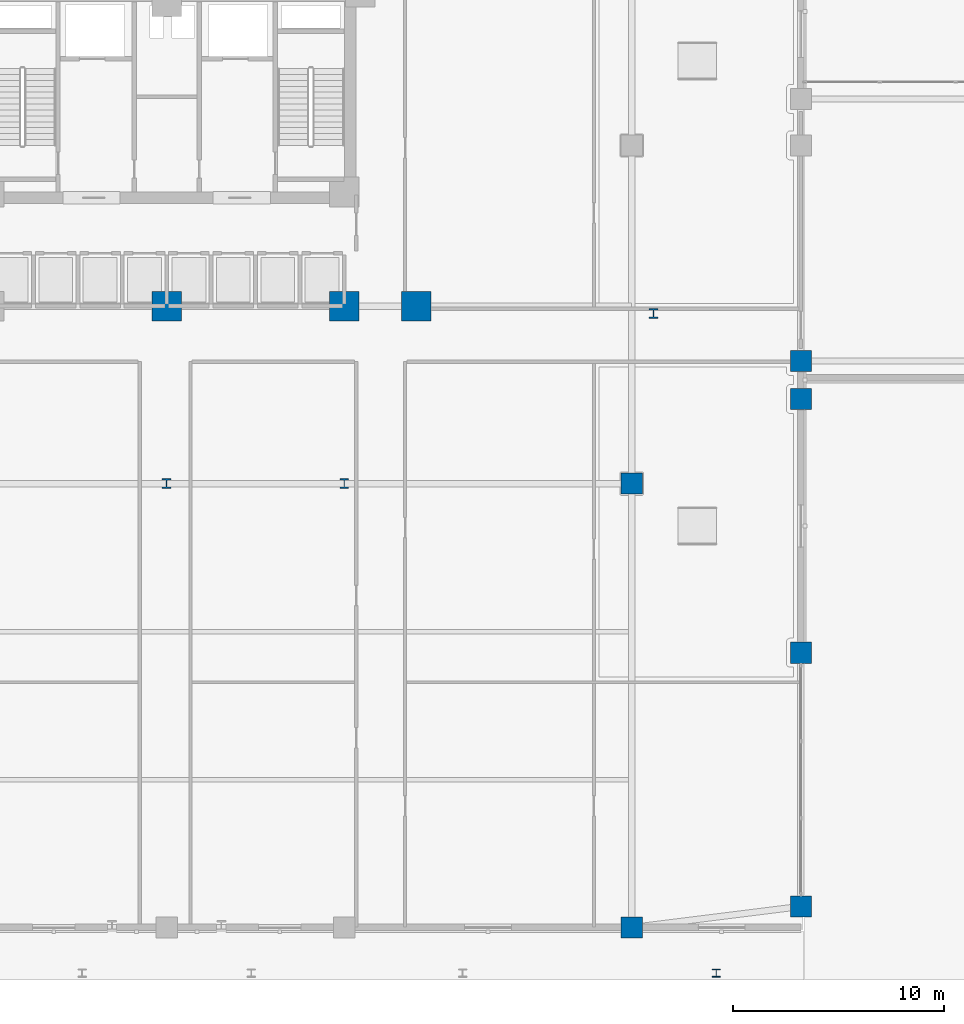
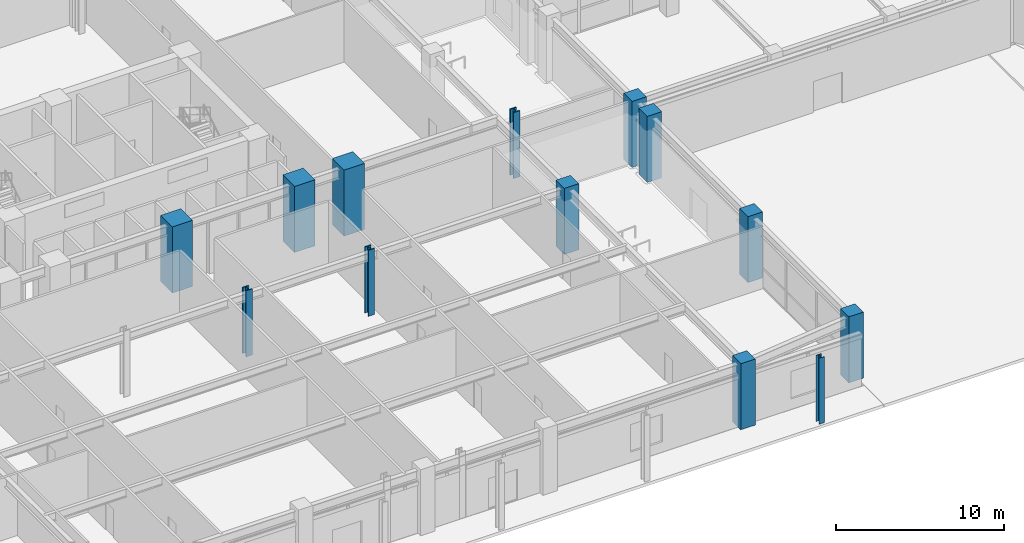
# One storey, part 2 of 40: 13 columns.
"""IFC4 building model written with IfcOpenShell, lengths in metres."""

from ifc_helpers import new_model, si_unit, derived_unit, direction, frame, origin, origin_2d, place, context, subcontext, project, spatial, rectangle, i_section, extrude, source, transform, mapped, material, material_profile, profile_set, type_object, element, save


model = new_model("IFC4")

# Units and contexts
model_context = context("Model", 3, precision=1e-05, world=origin(), true_north=direction((0.0, 1.0)))
body_context = subcontext(model_context, "Body", "Model", "MODEL_VIEW")
ifc_project = project(units=[si_unit("LENGTHUNIT", "METRE"), si_unit("AREAUNIT", "SQUARE_METRE"), si_unit("VOLUMEUNIT", "CUBIC_METRE"), si_unit("PLANEANGLEUNIT", "RADIAN"), si_unit("MASSUNIT", "GRAM", prefix="KILO"), derived_unit("THERMALTRANSMITTANCEUNIT", [(si_unit("POWERUNIT", "WATT"), 1), (si_unit("LENGTHUNIT", "METRE"), -2), (si_unit("THERMODYNAMICTEMPERATUREUNIT", "KELVIN"), -1)])], contexts=[model_context])

# Site, building, storey
site_placement = place(None, origin())
site = spatial("IfcSite", under=ifc_project, at=site_placement, CompositionType="ELEMENT")
building_placement = place(site_placement, origin())
building = spatial("IfcBuilding", under=site, at=building_placement, Name="Korsvarv Bourse and Concert Hall", CompositionType="ELEMENT")
storey_placement = place(building_placement, origin())
storey = spatial("IfcBuildingStorey", under=building, at=storey_placement, Name="L00", CompositionType="ELEMENT", Elevation=0.0)

# Columns
ifc_material_1 = material(Name="Concrete C60/75", Category="concrete")
ifc_material_profile_1 = material_profile(ifc_material_1, rectangle(XDim=1.39990234375, YDim=1.39990234375, at=origin_2d()), Name="RC 1400x1400")
ifc_profile_set_1 = profile_set([ifc_material_profile_1], Name="Concrete C60/75")
column_type_1 = type_object("IfcColumnType", Name="COL-RC1400", PredefinedType="COLUMN", material=ifc_profile_set_1)
shared_shape_1 = source(origin(), body_context, "Body", "SweptSolid", [
    extrude(rectangle(XDim=1.39990234375, YDim=1.39990234375, at=origin_2d()), origin(), (0.0, 0.0, 1.0), 4.800048828125),
])
for number, where, z_axis, x_axis, name in (
    (1, (44.39990234375, 32.39990234375, 0.0), (0.0, 0.0, 1.0), (1.0, 0.0, 0.0), "L00 column C-01"),
    (2, (36.0, 32.39990234375, 0.0), (0.0, 0.0, 1.0), (1.0, 0.0, 0.0), "L00 column C-01"),
    (3, (47.800048828125, 32.39990234375, 0.0), (0.0, 0.0, 1.0), (1.0, 0.0, 0.0), "L00 column C-01"),
):
    element("IfcColumn", number, at=place(storey_placement, frame(where, z_axis=z_axis, x_axis=x_axis)), inside=storey, type_object=column_type_1, Name=name, PredefinedType="COLUMN", context=body_context, shape_type="MappedRepresentation", body=[
        mapped(shared_shape_1, transform((0.0, 0.0, 0.0), scale=1.0)),
    ])
ifc_material_2 = material(Name="Steel S460", Category="steel")
ifc_material_profile_2 = material_profile(ifc_material_2, i_section(OverallWidth=0.424072265625, OverallDepth=0.47412109375, WebThickness=0.044921875, FlangeThickness=0.072021484375, FilletRadius=0.014892578125, at=origin_2d()), Name="HD 400x634")
ifc_profile_set_2 = profile_set([ifc_material_profile_2], Name="Steel S460")
column_type_2 = type_object("IfcColumnType", Name="COL-HD634", PredefinedType="COLUMN", material=ifc_profile_set_2)
shared_shape_2 = source(origin(), body_context, "Body", "SweptSolid", [
    extrude(i_section(OverallWidth=0.424072265625, OverallDepth=0.47412109375, WebThickness=0.044921875, FlangeThickness=0.072021484375, FilletRadius=0.014892578125, at=origin_2d()), origin(), (0.0, 0.0, 1.0), 4.800048828125),
])
for number, where, z_axis, x_axis, name in (
    (4, (44.39990234375, 24.0, 0.0), (0.0, 0.0, 1.0), (1.0, 0.0, 0.0), "L00 column C-07"),
    (5, (36.0, 24.0, 0.0), (0.0, 0.0, 1.0), (1.0, 0.0, 0.0), "L00 column C-07"),
    (6, (59.029541015625, 32.05419921875, 0.0), (0.0, 0.0, 1.0), (1.0, 0.0, 0.0), "L00 column C-07"),
):
    element("IfcColumn", number, at=place(storey_placement, frame(where, z_axis=z_axis, x_axis=x_axis)), inside=storey, type_object=column_type_2, Name=name, PredefinedType="COLUMN", context=body_context, shape_type="MappedRepresentation", body=[
        mapped(shared_shape_2, transform((0.0, 0.0, 0.0), scale=1.0)),
    ])
ifc_material_3 = material(Name="Concrete C55/67", Category="concrete")
ifc_material_profile_3 = material_profile(ifc_material_3, rectangle(XDim=1.0, YDim=1.0, at=origin_2d()), Name="RC 1000x1000")
ifc_profile_set_3 = profile_set([ifc_material_profile_3], Name="Concrete C55/67")
column_type_3 = type_object("IfcColumnType", Name="COL-RC1000", PredefinedType="COLUMN", material=ifc_profile_set_3)
shared_shape_3 = source(origin(), body_context, "Body", "SweptSolid", [
    extrude(rectangle(XDim=1.0, YDim=1.0, at=origin_2d()), origin(), (0.0, 0.0, 1.0), 4.800048828125),
])
for number, where, z_axis, x_axis, name in (
    (7, (66.0, 4.0, 0.0), (0.0, 0.0, 1.0), (1.0, 0.0, 0.0), "L00 column C-03"),
    (8, (66.0, 16.0, 0.0), (0.0, 0.0, 1.0), (1.0, 0.0, 0.0), "L00 column C-03"),
    (9, (66.0, 28.0, 0.0), (0.0, 0.0, 1.0), (1.0, 0.0, 0.0), "L00 column C-03"),
    (10, (58.0, 3.0, 0.0), (0.0, 0.0, 1.0), (1.0, 0.0, 0.0), "L00 column C-03"),
    (11, (58.0, 24.0, 0.0), (0.0, 0.0, 1.0), (1.0, 0.0, 0.0), "L00 column C-03"),
    (12, (66.0, 29.800048828125, 0.0), (0.0, 0.0, 1.0), (1.0, 0.0, 0.0), "L00 column C-03"),
):
    element("IfcColumn", number, at=place(storey_placement, frame(where, z_axis=z_axis, x_axis=x_axis)), inside=storey, type_object=column_type_3, Name=name, PredefinedType="COLUMN", context=body_context, shape_type="MappedRepresentation", body=[
        mapped(shared_shape_3, transform((0.0, 0.0, 0.0), scale=1.0)),
    ])
ifc_material_4 = material(Name="Steel S355", Category="steel")
ifc_material_profile_4 = material_profile(ifc_material_4, i_section(OverallWidth=0.3740234375, OverallDepth=0.3798828125, WebThickness=0.01953125, FlangeThickness=0.031005859375, FilletRadius=0.014892578125, at=origin_2d()), Name="HD 360x262")
ifc_profile_set_4 = profile_set([ifc_material_profile_4], Name="Steel S355")
column_type_4 = type_object("IfcColumnType", Name="COL-PIL360", PredefinedType="PILASTER", material=ifc_profile_set_4)
shared_shape_4 = source(origin(), body_context, "Body", "SweptSolid", [
    extrude(i_section(OverallWidth=0.3740234375, OverallDepth=0.3798828125, WebThickness=0.01953125, FlangeThickness=0.031005859375, FilletRadius=0.014892578125, at=origin_2d()), origin(), (0.0, 0.0, 1.0), 4.800048828125),
])
column_placement = place(storey_placement, frame((62.0, 0.85009765625, 0.0), z_axis=(0.0, 0.0, 1.0), x_axis=(1.0, 0.0, 0.0)))
element("IfcColumn", 13, at=column_placement, inside=storey, type_object=column_type_4, Name="L00 column C-12", PredefinedType="PILASTER", context=body_context, shape_type="MappedRepresentation", body=[
    mapped(shared_shape_4, transform((0.0, 0.0, 0.0), scale=1.0)),
])

save(model, "model.ifc")
